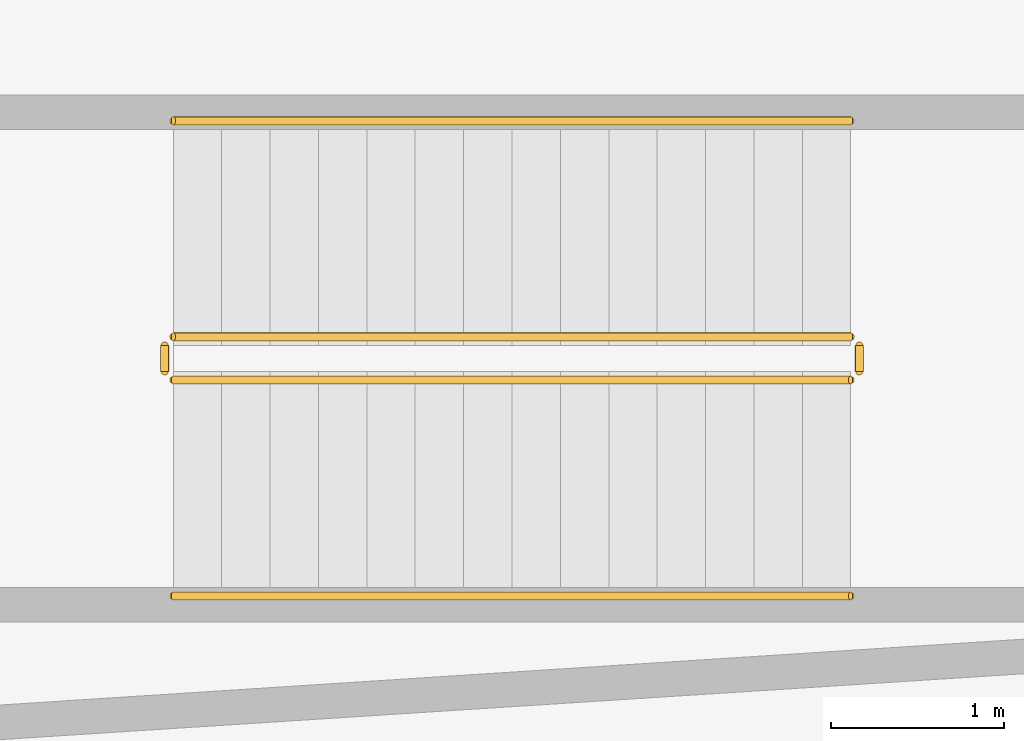
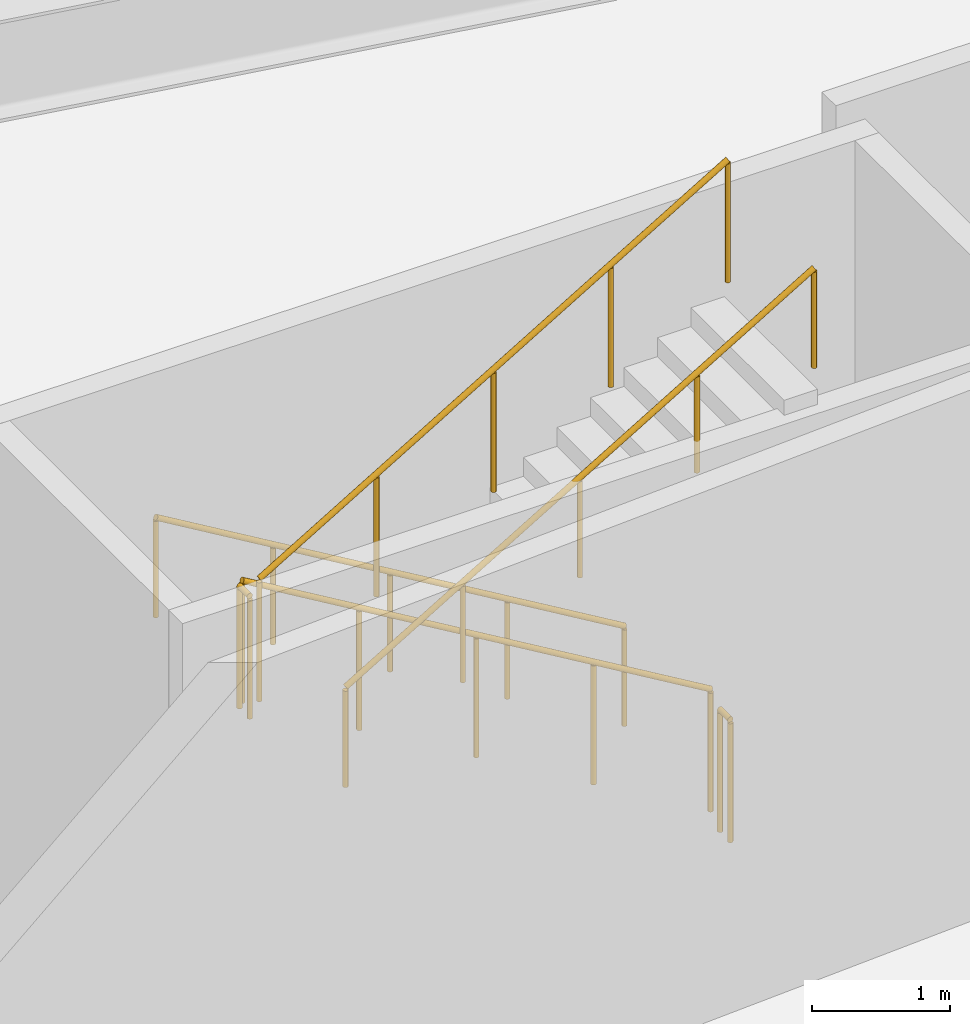
# One storey, part 9 of 14: 6 railings.
"""IFC4 building model written with IfcOpenShell, lengths in metres."""

import ifcopenshell
import ifcopenshell.guid

model = None  # the IFC model being written
_history = None  # IfcOwnerHistory: only IFC2X3 demands one
_inside = {}  # id of a spatial element -> (the spatial element, [elements in it])
_under = {}  # id of a project, library or spatial element -> (it, [spatial elements below it])
_declared = {}  # id of a project -> (the project, [libraries it declares])
_typed = {}  # id of a type object -> (the type object, [elements of that type])
_made_of = {}  # id of a material, layer set ... -> (it, [elements and type objects made of it])


def new_model(schema):
    """Start an empty IFC model of exactly this schema.

    Asked for "IFC4X3", IfcOpenShell would pick the latest addendum, in which some entities
    have other attributes; the version numbers below select the first issue.
    IFC2X3 requires an IfcOwnerHistory on every rooted entity: one is made here for all.
    """
    global model, _history
    if schema == "IFC4X3":
        model = ifcopenshell.file(schema_version=(4, 3, 0, 0))
    else:
        model = ifcopenshell.file(schema=schema)
    _inside.clear()
    _under.clear()
    _declared.clear()
    _typed.clear()
    _made_of.clear()
    _history = None
    if model.schema == "IFC2X3":
        org = make("IfcOrganization", Name="unknown")
        user = make(
            "IfcPersonAndOrganization",
            ThePerson=make("IfcPerson", FamilyName="unknown"),
            TheOrganization=org,
        )
        app = make(
            "IfcApplication",
            ApplicationDeveloper=org,
            Version="unknown",
            ApplicationFullName="unknown",
            ApplicationIdentifier="unknown",
        )
        _history = make(
            "IfcOwnerHistory",
            OwningUser=user,
            OwningApplication=app,
            ChangeAction="ADDED",
            CreationDate=0,
        )
    return model


def make(cls, **values):
    """One entity of the class cls with the attributes given. An attribute that is None is left unset."""
    return model.create_entity(
        cls, **{name: value for name, value in values.items() if value is not None}
    )


def rooted(cls, **values):
    """An entity with a GlobalId (a new one), such as an element, a storey or a relation."""
    return make(cls, GlobalId=ifcopenshell.guid.new(), OwnerHistory=_history, **values)


def si_unit(unit_type, name, prefix=None):
    """IfcSIUnit, for example si_unit("LENGTHUNIT", "METRE", prefix="MILLI")."""
    return make("IfcSIUnit", UnitType=unit_type, Prefix=prefix, Name=name)


def assignment(units):
    """IfcUnitAssignment: the units of a project."""
    return None if units is None else make("IfcUnitAssignment", Units=units)


def point(xyz):
    """IfcCartesianPoint."""
    return None if xyz is None else make("IfcCartesianPoint", Coordinates=xyz)


def direction(xyz):
    """IfcDirection."""
    return None if xyz is None else make("IfcDirection", DirectionRatios=xyz)


def frame(location, z_axis=None, x_axis=None):
    """IfcAxis2Placement3D, a coordinate frame: its origin and axes. An axis left out is left unset."""
    return make(
        "IfcAxis2Placement3D",
        Location=point(location),
        Axis=direction(z_axis),
        RefDirection=direction(x_axis),
    )


def frame_2d(location, x_axis=None):
    """IfcAxis2Placement2D, a coordinate frame in the plane: its origin and x axis."""
    return make(
        "IfcAxis2Placement2D", Location=point(location), RefDirection=direction(x_axis)
    )


def origin():
    """The frame at (0, 0, 0) with its axes left unset."""
    return frame((0.0, 0.0, 0.0))


def origin_2d():
    """The frame at (0, 0) in the plane with its x axis left unset."""
    return frame_2d((0.0, 0.0))


def place(relative_to, where):
    """IfcLocalPlacement: puts the frame where relative to a parent placement (None: the world)."""
    return make(
        "IfcLocalPlacement", PlacementRelTo=relative_to, RelativePlacement=where
    )


def context(
    kind, dimensions, precision=None, world=None, true_north=None, identifier=None
):
    """IfcGeometricRepresentationContext, for example the 3D "Model" context."""
    return make(
        "IfcGeometricRepresentationContext",
        ContextIdentifier=identifier,
        ContextType=kind,
        CoordinateSpaceDimension=dimensions,
        Precision=precision,
        WorldCoordinateSystem=world,
        TrueNorth=true_north,
    )


def subcontext(parent, identifier, kind, view, scale=None):
    """IfcGeometricRepresentationSubContext, for example "Body" below "Model"."""
    return make(
        "IfcGeometricRepresentationSubContext",
        ContextIdentifier=identifier,
        ContextType=kind,
        ParentContext=parent,
        TargetScale=scale,
        TargetView=view,
    )


def project(units=None, contexts=None):
    """IfcProject with its units and contexts."""
    return rooted(
        "IfcProject",
        Name="project",
        RepresentationContexts=contexts,
        UnitsInContext=assignment(units),
    )


def spatial(cls, under=None, at=None, **own):
    """A site, building, storey or space (cls), placed at a placement, below another one or the project."""
    s = rooted(cls, ObjectPlacement=at, **own)
    if under is not None:
        _under.setdefault(under.id(), (under, []))[1].append(s)
    return s


def profile(cls, at=None, kind="AREA", **sizes):
    """A parametric profile (cls). Its sizes go by their IFC names, for example OverallWidth=200.0."""
    return make(cls, ProfileType=kind, Position=at, **sizes)


def circle(**sizes):
    """IfcCircleProfileDef."""
    return profile("IfcCircleProfileDef", **sizes)


def extrude(swept, where, along, depth):
    """IfcExtrudedAreaSolid: the profile swept, set in the frame where, extruded along a direction by depth."""
    return make(
        "IfcExtrudedAreaSolid",
        SweptArea=swept,
        Position=where,
        ExtrudedDirection=direction(along),
        Depth=depth,
    )


def shape(context_of_items, identifier, shape_type, items):
    """IfcShapeRepresentation: the items that make up one representation, for example the "Body"."""
    return make(
        "IfcShapeRepresentation",
        ContextOfItems=context_of_items,
        RepresentationIdentifier=identifier,
        RepresentationType=shape_type,
        Items=items,
    )


def source(mapping_origin, context_of_items, identifier, shape_type, items):
    """IfcRepresentationMap: a shape defined once, which mapped items show again and again."""
    return make(
        "IfcRepresentationMap",
        MappingOrigin=mapping_origin,
        MappedRepresentation=shape(context_of_items, identifier, shape_type, items),
    )


def transform(
    local_origin,
    x_axis=None,
    y_axis=None,
    z_axis=None,
    scale=None,
    scale2=None,
    scale3=None,
    uniform=True,
):
    """IfcCartesianTransformationOperator3D, or its non-uniform kind. x_axis, y_axis, z_axis: its Axis1, 2, 3."""
    if uniform:
        return make(
            "IfcCartesianTransformationOperator3D",
            Axis1=direction(x_axis),
            Axis2=direction(y_axis),
            LocalOrigin=point(local_origin),
            Scale=scale,
            Axis3=direction(z_axis),
        )
    return make(
        "IfcCartesianTransformationOperator3DnonUniform",
        Axis1=direction(x_axis),
        Axis2=direction(y_axis),
        LocalOrigin=point(local_origin),
        Scale=scale,
        Axis3=direction(z_axis),
        Scale2=scale2,
        Scale3=scale3,
    )


def mapped(mapping_source, mapping_target):
    """IfcMappedItem: shows the shape of a source again, moved by a transform."""
    return make(
        "IfcMappedItem", MappingSource=mapping_source, MappingTarget=mapping_target
    )


def material(Name=None, Category=None):
    """IfcMaterial."""
    return make("IfcMaterial", Name=Name, Category=Category)


def made_of(thing, what):
    """Note that an element or type object is made of a material, layer set ...; save() writes the relation."""
    if what is not None:
        _made_of.setdefault(what.id(), (what, []))[1].append(thing)
    return thing


def type_object(cls, material=None, **own):
    """A type object (cls), such as IfcWallType, which elements share."""
    return made_of(rooted(cls, **own), material)


def element(
    cls,
    number,
    at=None,
    inside=None,
    cuts=None,
    type_object=None,
    material=None,
    context=None,
    identifier="Body",
    shape_type=None,
    held_by="IfcProductDefinitionShape",
    body=None,
    shapes=None,
    **own,
):
    """One element of the class cls, such as IfcWall. Its Tag is "e" and its number.

    at: its placement. inside: the storey or other place that contains it. cuts: it is an
    opening in that element (IfcRelVoidsElement). A single representation is given by context,
    identifier, shape_type and body (its items); several are given by shapes. held_by: the class
    of the entity that holds the representations. save() writes the other relations.
    """
    e = rooted(cls, Tag="e%d" % number, ObjectPlacement=at, **own)
    if body is not None:
        shapes = [shape(context, identifier, shape_type, body)]
    if shapes is not None:
        e.Representation = make(held_by, Representations=shapes)
    if inside is not None:
        _inside.setdefault(inside.id(), (inside, []))[1].append(e)
    if cuts is not None:
        rooted(
            "IfcRelVoidsElement", RelatingBuildingElement=cuts, RelatedOpeningElement=e
        )
    if type_object is not None:
        _typed.setdefault(type_object.id(), (type_object, []))[1].append(e)
    return made_of(e, material)


def aggregate(whole, parts):
    """IfcRelAggregates: a whole, such as a stair, and the parts it consists of."""
    return rooted("IfcRelAggregates", RelatingObject=whole, RelatedObjects=parts)


def save(model, path):
    """Write the relations noted so far, then the file.

    IfcRelAggregates (storeys below a building ...), IfcRelContainedInSpatialStructure (elements
    in a storey), IfcRelDefinesByType, IfcRelAssociatesMaterial and IfcRelDeclares: one each for
    every whole, place, type object, material and project.
    """
    for whole, parts in _under.values():
        aggregate(whole, parts)
    for where, things in _inside.values():
        rooted(
            "IfcRelContainedInSpatialStructure",
            RelatedElements=things,
            RelatingStructure=where,
        )
    for kind, things in _typed.values():
        rooted("IfcRelDefinesByType", RelatedObjects=things, RelatingType=kind)
    for what, things in _made_of.values():
        rooted("IfcRelAssociatesMaterial", RelatedObjects=things, RelatingMaterial=what)
    for by, libraries in _declared.values():
        rooted("IfcRelDeclares", RelatingContext=by, RelatedDefinitions=libraries)
    model.write(path)


model = new_model("IFC4")

# Units and contexts
model_context = context("Model", 3, precision=1e-05, world=origin(), true_north=direction((0.0, 1.0)))
body_context = subcontext(model_context, "Body", "Model", "MODEL_VIEW")
ifc_project = project(units=[si_unit("LENGTHUNIT", "METRE"), si_unit("AREAUNIT", "SQUARE_METRE"), si_unit("VOLUMEUNIT", "CUBIC_METRE"), si_unit("PLANEANGLEUNIT", "RADIAN"), si_unit("MASSUNIT", "GRAM", prefix="KILO")], contexts=[model_context])

# Site, building, storey
site_placement = place(None, origin())
site = spatial("IfcSite", under=ifc_project, at=site_placement, CompositionType="ELEMENT")
building_placement = place(site_placement, origin())
building = spatial("IfcBuilding", under=site, at=building_placement, Name="Embergate Tower", CompositionType="ELEMENT")
storey_placement = place(building_placement, frame((0.0, 0.0, -10.0)))
storey = spatial("IfcBuildingStorey", under=building, at=storey_placement, Name="B2", CompositionType="ELEMENT", Elevation=-10.0)

# Railings
ifc_material = material(Name="Steel", Category="steel")
railing_type_1 = type_object("IfcRailingType", Name="Exit stair guard 1100", PredefinedType="GUARDRAIL", material=ifc_material)
shared_shape_1 = source(origin(), body_context, "Body", "SweptSolid", [
    extrude(circle(Radius=0.02392578125, at=origin_2d()), frame((0.0, 0.0, 1.076171875), z_axis=(0.0, -1.0, 0.0), x_axis=(1.0, 0.0, 0.0)), (0.0, 0.0, 1.0), 0.14990234375),
    extrude(circle(Radius=0.02099609375, at=origin_2d()), origin(), (0.0, 0.0, 1.0), 1.052001953125),
    extrude(circle(Radius=0.02099609375, at=origin_2d()), frame((0.0, -0.14990234375, 0.0)), (0.0, 0.0, 1.0), 1.052001953125),
])
for number, where, name in (
    (1, (-31.77001953125, 0.074951171875, 2.5), "B2 XW1 stair guard 2"),
    (2, (-27.75, 0.074951171875, 0.0), "B2 XW1 stair guard 4"),
):
    element("IfcRailing", number, at=place(storey_placement, frame(where)), inside=storey, type_object=railing_type_1, Name=name, PredefinedType="GUARDRAIL", context=body_context, shape_type="MappedRepresentation", body=[
        mapped(shared_shape_1, transform((0.0, 0.0, 0.0))),
    ])
shared_shape_2 = source(origin(), body_context, "Body", "SweptSolid", [
    extrude(circle(Radius=0.02392578125, at=origin_2d()), frame((0.0, 0.0, 1.076171875), z_axis=(0.859296244711, 0.0, 0.511478214419), x_axis=(0.0, 1.0, 0.0)), (0.0, 0.0, 1.0), 4.561767578125),
    extrude(circle(Radius=0.02099609375, at=origin_2d()), origin(), (0.0, 0.0, 1.0), 1.052001953125),
    extrude(circle(Radius=0.02099609375, at=origin_2d()), frame((0.97998046875, 0.0, 0.583251953125)), (0.0, 0.0, 1.0), 1.052001953125),
    extrude(circle(Radius=0.02099609375, at=origin_2d()), frame((1.9599609375, 0.0, 1.16650390625)), (0.0, 0.0, 1.0), 1.052001953125),
    extrude(circle(Radius=0.02099609375, at=origin_2d()), frame((2.93994140625, 0.0, 1.75)), (0.0, 0.0, 1.0), 1.052001953125),
    extrude(circle(Radius=0.02099609375, at=origin_2d()), frame((3.919921875, 0.0, 2.333251953125)), (0.0, 0.0, 1.0), 1.052001953125),
])
railing_1_placement = place(storey_placement, frame((-31.719970703125, -0.125, 2.666748046875)))
element("IfcRailing", 3, at=railing_1_placement, inside=storey, type_object=railing_type_1, Name="B2 XW1 stair guard 3", PredefinedType="GUARDRAIL", context=body_context, shape_type="MappedRepresentation", body=[
    mapped(shared_shape_2, transform((0.0, 0.0, 0.0))),
])
shared_shape_3 = source(origin(), body_context, "Body", "SweptSolid", [
    extrude(circle(Radius=0.02392578125, at=origin_2d()), frame((0.0, 0.0, 1.076171875), z_axis=(-0.859296244711, 0.0, 0.511478214419), x_axis=(0.0, -1.0, 0.0)), (0.0, 0.0, 1.0), 4.561767578125),
    extrude(circle(Radius=0.02099609375, at=origin_2d()), origin(), (0.0, 0.0, 1.0), 1.052001953125),
    extrude(circle(Radius=0.02099609375, at=origin_2d()), frame((-0.97998046875, 0.0, 0.583251953125)), (0.0, 0.0, 1.0), 1.052001953125),
    extrude(circle(Radius=0.02099609375, at=origin_2d()), frame((-1.9599609375, 0.0, 1.16650390625)), (0.0, 0.0, 1.0), 1.052001953125),
    extrude(circle(Radius=0.02099609375, at=origin_2d()), frame((-2.93994140625, 0.0, 1.75)), (0.0, 0.0, 1.0), 1.052001953125),
    extrude(circle(Radius=0.02099609375, at=origin_2d()), frame((-3.919921875, 0.0, 2.333251953125)), (0.0, 0.0, 1.0), 1.052001953125),
])
railing_2_placement = place(storey_placement, frame((-27.800048828125, 0.125, 0.166748046875)))
element("IfcRailing", 4, at=railing_2_placement, inside=storey, type_object=railing_type_1, Name="B2 XW1 stair guard 1", PredefinedType="GUARDRAIL", context=body_context, shape_type="MappedRepresentation", body=[
    mapped(shared_shape_3, transform((0.0, 0.0, 0.0))),
])
railing_type_2 = type_object("IfcRailingType", Name="Exit stair handrail 900", PredefinedType="HANDRAIL", material=ifc_material)
shared_shape_4 = source(origin(), body_context, "Body", "SweptSolid", [
    extrude(circle(Radius=0.02392578125, at=origin_2d()), frame((0.0, 0.0, 0.8759765625), z_axis=(0.859296244711, 0.0, 0.511478214419), x_axis=(0.0, 1.0, 0.0)), (0.0, 0.0, 1.0), 4.561767578125),
    extrude(circle(Radius=0.02099609375, at=origin_2d()), origin(), (0.0, 0.0, 1.0), 0.851806640625),
    extrude(circle(Radius=0.02099609375, at=origin_2d()), frame((0.97998046875, 0.0, 0.583251953125)), (0.0, 0.0, 1.0), 0.851806640625),
    extrude(circle(Radius=0.02099609375, at=origin_2d()), frame((1.9599609375, 0.0, 1.16650390625)), (0.0, 0.0, 1.0), 0.851806640625),
    extrude(circle(Radius=0.02099609375, at=origin_2d()), frame((2.93994140625, 0.0, 1.75)), (0.0, 0.0, 1.0), 0.851806640625),
    extrude(circle(Radius=0.02099609375, at=origin_2d()), frame((3.919921875, 0.0, 2.333251953125)), (0.0, 0.0, 1.0), 0.851806640625),
])
railing_3_placement = place(storey_placement, frame((-31.719970703125, -1.375, 2.666748046875)))
element("IfcRailing", 5, at=railing_3_placement, inside=storey, type_object=railing_type_2, Name="B2 XW1 stair handrail 2", PredefinedType="HANDRAIL", context=body_context, shape_type="MappedRepresentation", body=[
    mapped(shared_shape_4, transform((0.0, 0.0, 0.0))),
])
shared_shape_5 = source(origin(), body_context, "Body", "SweptSolid", [
    extrude(circle(Radius=0.02392578125, at=origin_2d()), frame((0.0, 0.0, 0.8759765625), z_axis=(-0.859296244711, 0.0, 0.511478214419), x_axis=(0.0, -1.0, 0.0)), (0.0, 0.0, 1.0), 4.561767578125),
    extrude(circle(Radius=0.02099609375, at=origin_2d()), origin(), (0.0, 0.0, 1.0), 0.851806640625),
    extrude(circle(Radius=0.02099609375, at=origin_2d()), frame((-0.97998046875, 0.0, 0.583251953125)), (0.0, 0.0, 1.0), 0.851806640625),
    extrude(circle(Radius=0.02099609375, at=origin_2d()), frame((-1.9599609375, 0.0, 1.16650390625)), (0.0, 0.0, 1.0), 0.851806640625),
    extrude(circle(Radius=0.02099609375, at=origin_2d()), frame((-2.93994140625, 0.0, 1.75)), (0.0, 0.0, 1.0), 0.851806640625),
    extrude(circle(Radius=0.02099609375, at=origin_2d()), frame((-3.919921875, 0.0, 2.333251953125)), (0.0, 0.0, 1.0), 0.851806640625),
])
railing_4_placement = place(storey_placement, frame((-27.800048828125, 1.375, 0.166748046875)))
element("IfcRailing", 6, at=railing_4_placement, inside=storey, type_object=railing_type_2, Name="B2 XW1 stair handrail 1", PredefinedType="HANDRAIL", context=body_context, shape_type="MappedRepresentation", body=[
    mapped(shared_shape_5, transform((0.0, 0.0, 0.0))),
])

save(model, "model.ifc")
